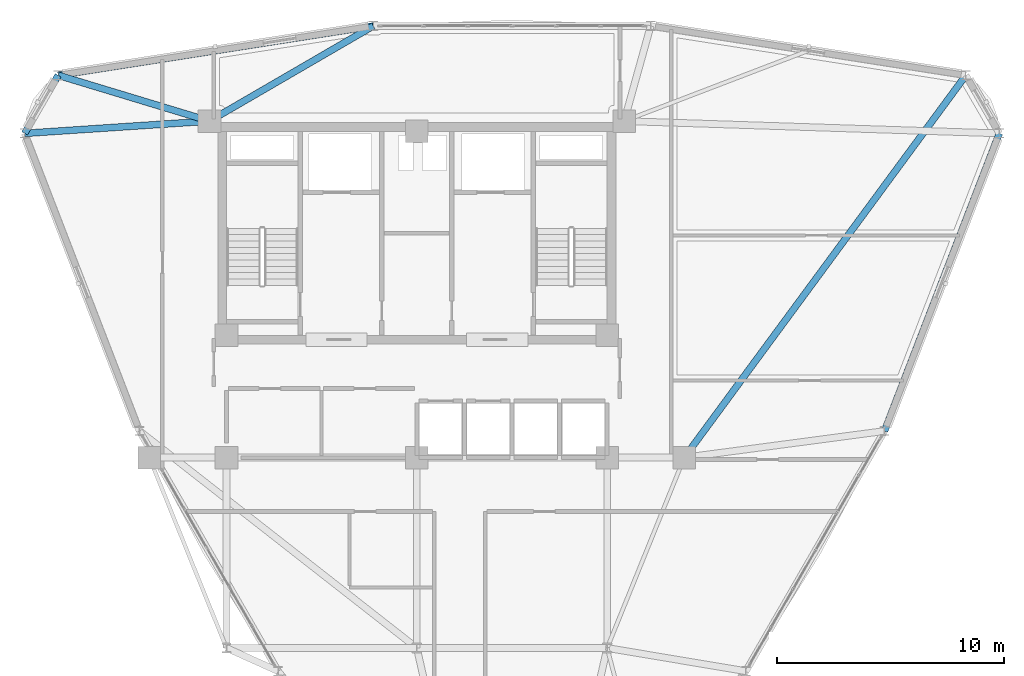
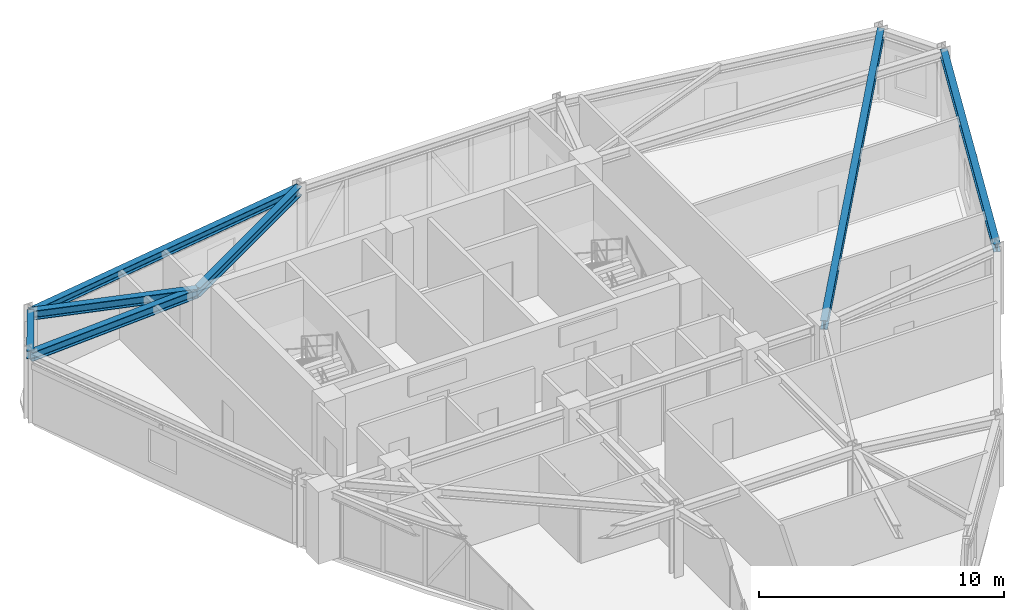
# One storey, part 8 of 16: 7 beams.
"""IFC4 building model written with IfcOpenShell, lengths in metres."""

import ifcopenshell
import ifcopenshell.guid

model = None  # the IFC model being written
_history = None  # IfcOwnerHistory: only IFC2X3 demands one
_inside = {}  # id of a spatial element -> (the spatial element, [elements in it])
_under = {}  # id of a project, library or spatial element -> (it, [spatial elements below it])
_declared = {}  # id of a project -> (the project, [libraries it declares])
_typed = {}  # id of a type object -> (the type object, [elements of that type])
_made_of = {}  # id of a material, layer set ... -> (it, [elements and type objects made of it])


def new_model(schema):
    """Start an empty IFC model of exactly this schema.

    Asked for "IFC4X3", IfcOpenShell would pick the latest addendum, in which some entities
    have other attributes; the version numbers below select the first issue.
    IFC2X3 requires an IfcOwnerHistory on every rooted entity: one is made here for all.
    """
    global model, _history
    if schema == "IFC4X3":
        model = ifcopenshell.file(schema_version=(4, 3, 0, 0))
    else:
        model = ifcopenshell.file(schema=schema)
    _inside.clear()
    _under.clear()
    _declared.clear()
    _typed.clear()
    _made_of.clear()
    _history = None
    if model.schema == "IFC2X3":
        org = make("IfcOrganization", Name="unknown")
        user = make(
            "IfcPersonAndOrganization",
            ThePerson=make("IfcPerson", FamilyName="unknown"),
            TheOrganization=org,
        )
        app = make(
            "IfcApplication",
            ApplicationDeveloper=org,
            Version="unknown",
            ApplicationFullName="unknown",
            ApplicationIdentifier="unknown",
        )
        _history = make(
            "IfcOwnerHistory",
            OwningUser=user,
            OwningApplication=app,
            ChangeAction="ADDED",
            CreationDate=0,
        )
    return model


def make(cls, **values):
    """One entity of the class cls with the attributes given. An attribute that is None is left unset."""
    return model.create_entity(
        cls, **{name: value for name, value in values.items() if value is not None}
    )


def rooted(cls, **values):
    """An entity with a GlobalId (a new one), such as an element, a storey or a relation."""
    return make(cls, GlobalId=ifcopenshell.guid.new(), OwnerHistory=_history, **values)


def si_unit(unit_type, name, prefix=None):
    """IfcSIUnit, for example si_unit("LENGTHUNIT", "METRE", prefix="MILLI")."""
    return make("IfcSIUnit", UnitType=unit_type, Prefix=prefix, Name=name)


def derived_unit(unit_type, elements):
    """IfcDerivedUnit: a product of units, each with its exponent."""
    return make(
        "IfcDerivedUnit",
        Elements=[
            make("IfcDerivedUnitElement", Unit=unit, Exponent=power)
            for unit, power in elements
        ],
        UnitType=unit_type,
    )


def assignment(units):
    """IfcUnitAssignment: the units of a project."""
    return None if units is None else make("IfcUnitAssignment", Units=units)


def point(xyz):
    """IfcCartesianPoint."""
    return None if xyz is None else make("IfcCartesianPoint", Coordinates=xyz)


def direction(xyz):
    """IfcDirection."""
    return None if xyz is None else make("IfcDirection", DirectionRatios=xyz)


def frame(location, z_axis=None, x_axis=None):
    """IfcAxis2Placement3D, a coordinate frame: its origin and axes. An axis left out is left unset."""
    return make(
        "IfcAxis2Placement3D",
        Location=point(location),
        Axis=direction(z_axis),
        RefDirection=direction(x_axis),
    )


def frame_2d(location, x_axis=None):
    """IfcAxis2Placement2D, a coordinate frame in the plane: its origin and x axis."""
    return make(
        "IfcAxis2Placement2D", Location=point(location), RefDirection=direction(x_axis)
    )


def origin():
    """The frame at (0, 0, 0) with its axes left unset."""
    return frame((0.0, 0.0, 0.0))


def origin_2d():
    """The frame at (0, 0) in the plane with its x axis left unset."""
    return frame_2d((0.0, 0.0))


def place(relative_to, where):
    """IfcLocalPlacement: puts the frame where relative to a parent placement (None: the world)."""
    return make(
        "IfcLocalPlacement", PlacementRelTo=relative_to, RelativePlacement=where
    )


def context(
    kind, dimensions, precision=None, world=None, true_north=None, identifier=None
):
    """IfcGeometricRepresentationContext, for example the 3D "Model" context."""
    return make(
        "IfcGeometricRepresentationContext",
        ContextIdentifier=identifier,
        ContextType=kind,
        CoordinateSpaceDimension=dimensions,
        Precision=precision,
        WorldCoordinateSystem=world,
        TrueNorth=true_north,
    )


def subcontext(parent, identifier, kind, view, scale=None):
    """IfcGeometricRepresentationSubContext, for example "Body" below "Model"."""
    return make(
        "IfcGeometricRepresentationSubContext",
        ContextIdentifier=identifier,
        ContextType=kind,
        ParentContext=parent,
        TargetScale=scale,
        TargetView=view,
    )


def project(units=None, contexts=None):
    """IfcProject with its units and contexts."""
    return rooted(
        "IfcProject",
        Name="project",
        RepresentationContexts=contexts,
        UnitsInContext=assignment(units),
    )


def spatial(cls, under=None, at=None, **own):
    """A site, building, storey or space (cls), placed at a placement, below another one or the project."""
    s = rooted(cls, ObjectPlacement=at, **own)
    if under is not None:
        _under.setdefault(under.id(), (under, []))[1].append(s)
    return s


def profile(cls, at=None, kind="AREA", **sizes):
    """A parametric profile (cls). Its sizes go by their IFC names, for example OverallWidth=200.0."""
    return make(cls, ProfileType=kind, Position=at, **sizes)


def i_section(**sizes):
    """IfcIShapeProfileDef."""
    return profile("IfcIShapeProfileDef", **sizes)


def extrude(swept, where, along, depth):
    """IfcExtrudedAreaSolid: the profile swept, set in the frame where, extruded along a direction by depth."""
    return make(
        "IfcExtrudedAreaSolid",
        SweptArea=swept,
        Position=where,
        ExtrudedDirection=direction(along),
        Depth=depth,
    )


def shape(context_of_items, identifier, shape_type, items):
    """IfcShapeRepresentation: the items that make up one representation, for example the "Body"."""
    return make(
        "IfcShapeRepresentation",
        ContextOfItems=context_of_items,
        RepresentationIdentifier=identifier,
        RepresentationType=shape_type,
        Items=items,
    )


def source(mapping_origin, context_of_items, identifier, shape_type, items):
    """IfcRepresentationMap: a shape defined once, which mapped items show again and again."""
    return make(
        "IfcRepresentationMap",
        MappingOrigin=mapping_origin,
        MappedRepresentation=shape(context_of_items, identifier, shape_type, items),
    )


def transform(
    local_origin,
    x_axis=None,
    y_axis=None,
    z_axis=None,
    scale=None,
    scale2=None,
    scale3=None,
    uniform=True,
):
    """IfcCartesianTransformationOperator3D, or its non-uniform kind. x_axis, y_axis, z_axis: its Axis1, 2, 3."""
    if uniform:
        return make(
            "IfcCartesianTransformationOperator3D",
            Axis1=direction(x_axis),
            Axis2=direction(y_axis),
            LocalOrigin=point(local_origin),
            Scale=scale,
            Axis3=direction(z_axis),
        )
    return make(
        "IfcCartesianTransformationOperator3DnonUniform",
        Axis1=direction(x_axis),
        Axis2=direction(y_axis),
        LocalOrigin=point(local_origin),
        Scale=scale,
        Axis3=direction(z_axis),
        Scale2=scale2,
        Scale3=scale3,
    )


def mapped(mapping_source, mapping_target):
    """IfcMappedItem: shows the shape of a source again, moved by a transform."""
    return make(
        "IfcMappedItem", MappingSource=mapping_source, MappingTarget=mapping_target
    )


def material(Name=None, Category=None):
    """IfcMaterial."""
    return make("IfcMaterial", Name=Name, Category=Category)


def material_profile(
    of_material, cross_section, Name=None, Category=None, Priority=None
):
    """IfcMaterialProfile: a cross section and its material."""
    return make(
        "IfcMaterialProfile",
        Name=Name,
        Material=of_material,
        Profile=cross_section,
        Priority=Priority,
        Category=Category,
    )


def profile_set(profiles, Name=None, composite=None):
    """IfcMaterialProfileSet."""
    return make(
        "IfcMaterialProfileSet",
        Name=Name,
        MaterialProfiles=profiles,
        CompositeProfile=composite,
    )


def made_of(thing, what):
    """Note that an element or type object is made of a material, layer set ...; save() writes the relation."""
    if what is not None:
        _made_of.setdefault(what.id(), (what, []))[1].append(thing)
    return thing


def type_object(cls, material=None, **own):
    """A type object (cls), such as IfcWallType, which elements share."""
    return made_of(rooted(cls, **own), material)


def element(
    cls,
    number,
    at=None,
    inside=None,
    cuts=None,
    type_object=None,
    material=None,
    context=None,
    identifier="Body",
    shape_type=None,
    held_by="IfcProductDefinitionShape",
    body=None,
    shapes=None,
    **own,
):
    """One element of the class cls, such as IfcWall. Its Tag is "e" and its number.

    at: its placement. inside: the storey or other place that contains it. cuts: it is an
    opening in that element (IfcRelVoidsElement). A single representation is given by context,
    identifier, shape_type and body (its items); several are given by shapes. held_by: the class
    of the entity that holds the representations. save() writes the other relations.
    """
    e = rooted(cls, Tag="e%d" % number, ObjectPlacement=at, **own)
    if body is not None:
        shapes = [shape(context, identifier, shape_type, body)]
    if shapes is not None:
        e.Representation = make(held_by, Representations=shapes)
    if inside is not None:
        _inside.setdefault(inside.id(), (inside, []))[1].append(e)
    if cuts is not None:
        rooted(
            "IfcRelVoidsElement", RelatingBuildingElement=cuts, RelatedOpeningElement=e
        )
    if type_object is not None:
        _typed.setdefault(type_object.id(), (type_object, []))[1].append(e)
    return made_of(e, material)


def aggregate(whole, parts):
    """IfcRelAggregates: a whole, such as a stair, and the parts it consists of."""
    return rooted("IfcRelAggregates", RelatingObject=whole, RelatedObjects=parts)


def save(model, path):
    """Write the relations noted so far, then the file.

    IfcRelAggregates (storeys below a building ...), IfcRelContainedInSpatialStructure (elements
    in a storey), IfcRelDefinesByType, IfcRelAssociatesMaterial and IfcRelDeclares: one each for
    every whole, place, type object, material and project.
    """
    for whole, parts in _under.values():
        aggregate(whole, parts)
    for where, things in _inside.values():
        rooted(
            "IfcRelContainedInSpatialStructure",
            RelatedElements=things,
            RelatingStructure=where,
        )
    for kind, things in _typed.values():
        rooted("IfcRelDefinesByType", RelatedObjects=things, RelatingType=kind)
    for what, things in _made_of.values():
        rooted("IfcRelAssociatesMaterial", RelatedObjects=things, RelatingMaterial=what)
    for by, libraries in _declared.values():
        rooted("IfcRelDeclares", RelatingContext=by, RelatedDefinitions=libraries)
    model.write(path)


model = new_model("IFC4")

# Units and contexts
model_context = context("Model", 3, precision=1e-05, world=origin(), true_north=direction((0.0, 1.0)))
body_context = subcontext(model_context, "Body", "Model", "MODEL_VIEW")
ifc_project = project(units=[si_unit("LENGTHUNIT", "METRE"), si_unit("AREAUNIT", "SQUARE_METRE"), si_unit("VOLUMEUNIT", "CUBIC_METRE"), si_unit("PLANEANGLEUNIT", "RADIAN"), si_unit("MASSUNIT", "GRAM", prefix="KILO"), derived_unit("THERMALTRANSMITTANCEUNIT", [(si_unit("POWERUNIT", "WATT"), 1), (si_unit("LENGTHUNIT", "METRE"), -2), (si_unit("THERMODYNAMICTEMPERATUREUNIT", "KELVIN"), -1)])], contexts=[model_context])

# Site, building, storey
site_placement = place(None, origin())
site = spatial("IfcSite", under=ifc_project, at=site_placement, CompositionType="ELEMENT")
building_placement = place(site_placement, origin())
building = spatial("IfcBuilding", under=site, at=building_placement, Name="Korsvarv Bourse and Concert Hall", CompositionType="ELEMENT")
storey_placement = place(building_placement, frame((0.0, 0.0, 220.199951171875)))
storey = spatial("IfcBuildingStorey", under=building, at=storey_placement, Name="L57", CompositionType="ELEMENT", Elevation=220.199951171875)

# Beams
ifc_material = material(Name="Steel S355", Category="steel")
ifc_material_profile_1 = material_profile(ifc_material, i_section(OverallWidth=0.300048828125, OverallDepth=0.389892578125, WebThickness=0.010986328125, FlangeThickness=0.01904296875, FilletRadius=0.02099609375, at=origin_2d()), Name="HEA 400")
ifc_profile_set_1 = profile_set([ifc_material_profile_1], Name="Steel S355")
beam_type_1 = type_object("IfcBeamType", Name="BM-HEA400", PredefinedType="BEAM", material=ifc_profile_set_1)
shared_shape_1 = source(origin(), body_context, "Body", "SweptSolid", [
    extrude(i_section(OverallWidth=0.300048828125, OverallDepth=0.389892578125, WebThickness=0.010986328125, FlangeThickness=0.01904296875, FilletRadius=0.02099609375, at=origin_2d()), origin(), (0.0, 0.0, 1.0), 14.077880859375),
])
for number, where, z_axis, x_axis, name in (
    (1, (34.0810546875, 51.449951171875, 3.215087890625), (-0.987954433111, -0.154745074545, 0.0), (0.154745074545, -0.987954433111, 0.0), "L57 beam B-11"),
    (2, (56.639404296875, 33.57421875, 3.215087890625), (0.359967818551, 0.932964720452, 0.0), (-0.932964720452, 0.359967818551, 0.0), "L57 beam B-11"),
):
    element("IfcBeam", number, at=place(storey_placement, frame(where, z_axis=z_axis, x_axis=x_axis)), inside=storey, type_object=beam_type_1, Name=name, PredefinedType="BEAM", context=body_context, shape_type="MappedRepresentation", body=[
        mapped(shared_shape_1, transform((0.0, 0.0, 0.0), scale=1.0)),
    ])
shared_shape_2 = source(origin(), body_context, "Body", "SweptSolid", [
    extrude(i_section(OverallWidth=0.300048828125, OverallDepth=0.389892578125, WebThickness=0.010986328125, FlangeThickness=0.01904296875, FilletRadius=0.02099609375, at=origin_2d()), origin(), (0.0, 0.0, 1.0), 2.959716796875),
])
beam_1_placement = place(storey_placement, frame((20.1728515625, 49.271484375, 3.215087890625), z_axis=(-0.50006043627, -0.865990508076, 0.0), x_axis=(0.865990508076, -0.50006043627, 0.0)))
element("IfcBeam", 3, at=beam_1_placement, inside=storey, type_object=beam_type_1, Name="L57 beam B-11", PredefinedType="BEAM", context=body_context, shape_type="MappedRepresentation", body=[
    mapped(shared_shape_2, transform((0.0, 0.0, 0.0), scale=1.0)),
])
ifc_material_profile_2 = material_profile(ifc_material, i_section(OverallWidth=0.300048828125, OverallDepth=0.449951171875, WebThickness=0.013916015625, FlangeThickness=0.02587890625, FilletRadius=0.02099609375, at=origin_2d()), Name="HEB 450")
ifc_profile_set_2 = profile_set([ifc_material_profile_2], Name="Steel S355")
beam_type_2 = type_object("IfcBeamType", Name="BM-HEB450", PredefinedType="SPANDREL", material=ifc_profile_set_2)
shared_shape_3 = source(origin(), body_context, "Body", "SweptSolid", [
    extrude(i_section(OverallWidth=0.300048828125, OverallDepth=0.449951171875, WebThickness=0.013916015625, FlangeThickness=0.02587890625, FilletRadius=0.02099609375, at=origin_2d()), origin(), (0.0, 0.0, 1.0), 20.954345703125),
])
beam_2_placement = place(storey_placement, frame((60.227294921875, 49.271484375, 3.18505859375), z_axis=(-0.593061517775, -0.805157149962, 0.0), x_axis=(0.805157149962, -0.593061517775, 0.0)))
element("IfcBeam", 4, at=beam_2_placement, inside=storey, type_object=beam_type_2, Name="L57 beam B-08", PredefinedType="SPANDREL", context=body_context, shape_type="MappedRepresentation", body=[
    mapped(shared_shape_3, transform((0.0, 0.0, 0.0), scale=1.0)),
])
shared_shape_4 = source(origin(), body_context, "Body", "SweptSolid", [
    extrude(i_section(OverallWidth=0.300048828125, OverallDepth=0.449951171875, WebThickness=0.013916015625, FlangeThickness=0.02587890625, FilletRadius=0.02099609375, at=origin_2d()), origin(), (0.0, 0.0, 1.0), 8.3623046875),
])
beam_3_placement = place(storey_placement, frame((34.0810546875, 51.449951171875, 3.18505859375), z_axis=(-0.864719822868, -0.502254544966, 0.0), x_axis=(0.502254544966, -0.864719822868, 0.0)))
element("IfcBeam", 5, at=beam_3_placement, inside=storey, type_object=beam_type_2, Name="L57 beam B-08", PredefinedType="SPANDREL", context=body_context, shape_type="MappedRepresentation", body=[
    mapped(shared_shape_4, transform((0.0, 0.0, 0.0), scale=1.0)),
])
shared_shape_5 = source(origin(), body_context, "Body", "SweptSolid", [
    extrude(i_section(OverallWidth=0.300048828125, OverallDepth=0.449951171875, WebThickness=0.013916015625, FlangeThickness=0.02587890625, FilletRadius=0.02099609375, at=origin_2d()), origin(), (0.0, 0.0, 1.0), 6.9765625),
])
beam_4_placement = place(storey_placement, frame((20.1728515625, 49.271484375, 3.18505859375), z_axis=(0.957100894099, -0.289754859347, 0.0), x_axis=(0.289754859347, 0.957100894099, 0.0)))
element("IfcBeam", 6, at=beam_4_placement, inside=storey, type_object=beam_type_2, Name="L57 beam B-08", PredefinedType="SPANDREL", context=body_context, shape_type="MappedRepresentation", body=[
    mapped(shared_shape_5, transform((0.0, 0.0, 0.0), scale=1.0)),
])
shared_shape_6 = source(origin(), body_context, "Body", "SweptSolid", [
    extrude(i_section(OverallWidth=0.300048828125, OverallDepth=0.449951171875, WebThickness=0.013916015625, FlangeThickness=0.02587890625, FilletRadius=0.02099609375, at=origin_2d()), origin(), (0.0, 0.0, 1.0), 8.17529296875),
])
beam_5_placement = place(storey_placement, frame((18.69287109375, 46.70849609375, 3.18505859375), z_axis=(0.997803882038, 0.066237549694, 0.0), x_axis=(-0.066237549694, 0.997803882038, 0.0)))
element("IfcBeam", 7, at=beam_5_placement, inside=storey, type_object=beam_type_2, Name="L57 beam B-08", PredefinedType="SPANDREL", context=body_context, shape_type="MappedRepresentation", body=[
    mapped(shared_shape_6, transform((0.0, 0.0, 0.0), scale=1.0)),
])

save(model, "model.ifc")
